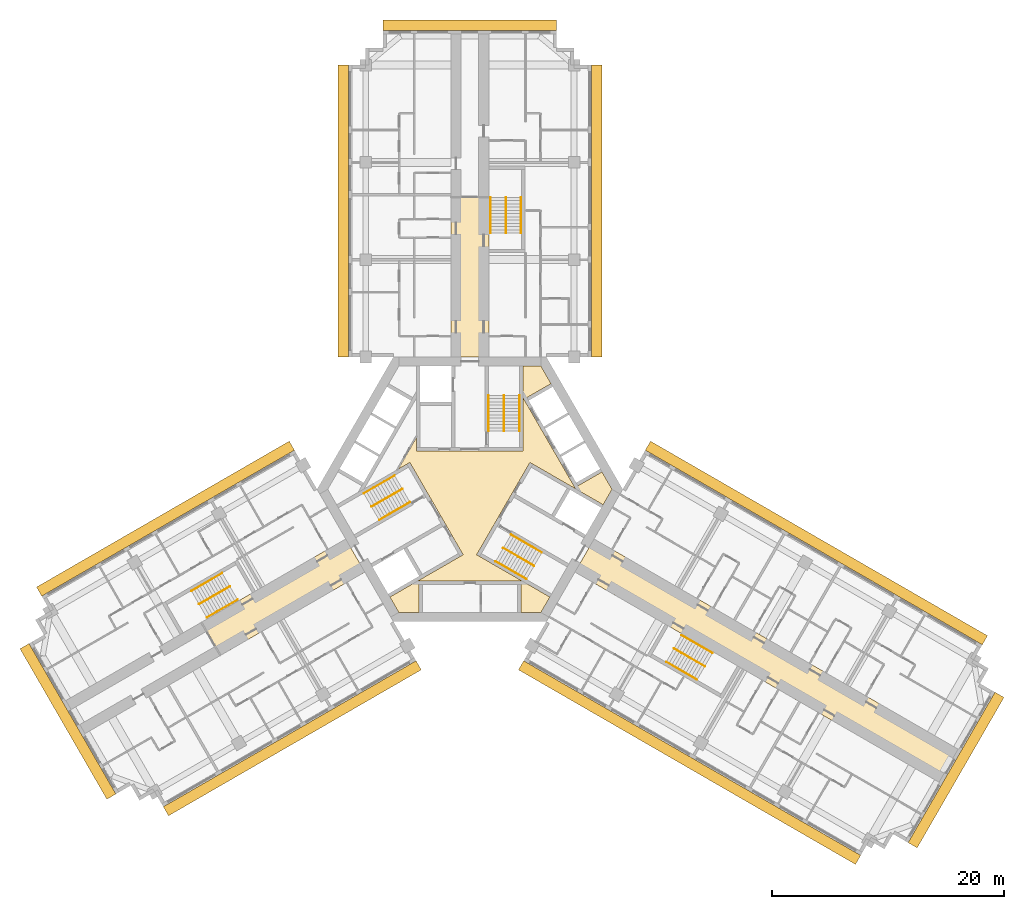
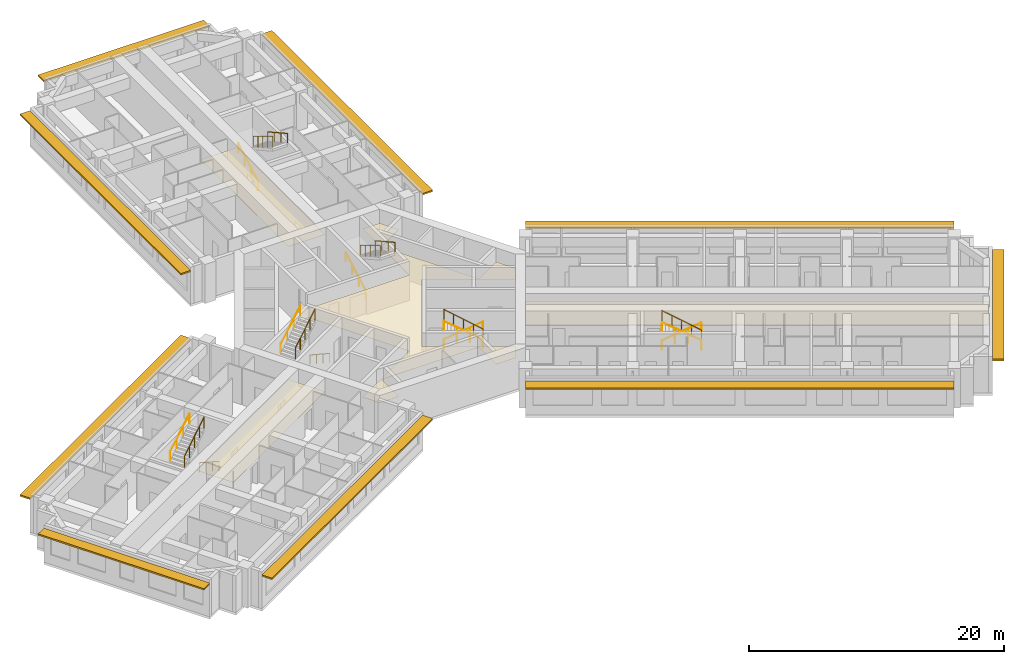
# One storey, part 14 of 14: 18 railings, 4 coverings, 3 shading devices.
"""IFC4 building model written with IfcOpenShell, lengths in metres."""

from ifc_helpers import new_model, si_unit, direction, frame, origin, origin_2d, place, context, subcontext, project, spatial, polyline, rectangle, circle, outline, extrude, material, layer, layer_set, type_object, element, save


model = new_model("IFC4")

# Units and contexts
model_context = context("Model", 3, precision=1e-05, world=origin(), true_north=direction((0.0, 1.0)))
body_context = subcontext(model_context, "Body", "Model", "MODEL_VIEW")
ifc_project = project(units=[si_unit("LENGTHUNIT", "METRE"), si_unit("AREAUNIT", "SQUARE_METRE"), si_unit("VOLUMEUNIT", "CUBIC_METRE"), si_unit("PLANEANGLEUNIT", "RADIAN"), si_unit("MASSUNIT", "GRAM", prefix="KILO")], contexts=[model_context])

# Site, building, storey
site_placement = place(None, origin())
site = spatial("IfcSite", under=ifc_project, at=site_placement, CompositionType="ELEMENT")
building_placement = place(site_placement, origin())
building = spatial("IfcBuilding", under=site, at=building_placement, Name="Impinga Residences", CompositionType="ELEMENT")
storey_placement = place(building_placement, frame((0.0, 0.0, 143.5)))
storey = spatial("IfcBuildingStorey", under=building, at=storey_placement, Name="L35", CompositionType="ELEMENT", Elevation=143.5)

# Coverings
ifc_material_1 = material(Name="Plasterboard 15 mm on steel hangers", Category="steel")
ifc_layer_1 = layer(ifc_material_1, 0.014892578125)
ifc_layer_set_1 = layer_set([ifc_layer_1], Name="Plasterboard 15 mm on steel hangers")
covering_type_1 = type_object("IfcCoveringType", Name="CL1 corridor ceiling, 15 mm plasterboard on hangers", PredefinedType="CEILING", material=ifc_layer_set_1)
covering_1_placement = place(storey_placement, frame((0.0, 0.0, 2.39990234375)))
element("IfcCovering", 1, at=covering_1_placement, inside=storey, type_object=covering_type_1, Name="Corridor ceiling CL1 L35-N00", PredefinedType="CEILING", context=body_context, shape_type="SweptSolid", body=[
    extrude(outline(polyline([(-1.64990234375, 11.431640625), (1.64990234375, 11.431640625), (1.64990234375, 25.181640625), (-1.64990234375, 25.181640625), (-1.64990234375, 11.431640625)])), origin(), (0.0, 0.0, 1.0), 0.01513671875),
])
covering_2_placement = place(storey_placement, frame((0.0, 0.0, 2.39990234375)))
element("IfcCovering", 2, at=covering_2_placement, inside=storey, type_object=covering_type_1, Name="Corridor ceiling CL1 L35-W00", PredefinedType="CEILING", context=body_context, shape_type="SweptSolid", body=[
    extrude(outline(polyline([(-9.074951171875, -7.144775390625), (-10.72509765625, -4.286865234375), (-23.15234375, -11.4619140625), (-21.50244140625, -14.31982421875), (-9.074951171875, -7.144775390625)])), origin(), (0.0, 0.0, 1.0), 0.01513671875),
])
covering_3_placement = place(storey_placement, frame((0.0, 0.0, 2.39990234375)))
element("IfcCovering", 3, at=covering_3_placement, inside=storey, type_object=covering_type_1, Name="Corridor ceiling CL1 L35-E00", PredefinedType="CEILING", context=body_context, shape_type="SweptSolid", body=[
    extrude(outline(polyline([(10.72509765625, -4.286865234375), (9.074951171875, -7.144775390625), (40.51171875, -25.294677734375), (42.16162109375, -22.436767578125), (10.72509765625, -4.286865234375)])), origin(), (0.0, 0.0, 1.0), 0.01513671875),
])
ifc_material_2 = material(Name="Mineral fibre tiles 20 mm on exposed grid", Category="mineral fibre")
ifc_layer_2 = layer(ifc_material_2, 0.02001953125)
ifc_layer_set_2 = layer_set([ifc_layer_2], Name="CL2 lift lobby ceiling, 20 mm mineral fibre tiles")
covering_type_2 = type_object("IfcCoveringType", Name="CL2 lift lobby ceiling, 20 mm mineral fibre tiles", PredefinedType="CEILING", material=ifc_layer_set_2)
covering_4_placement = place(storey_placement, frame((0.0, 0.0, 2.39990234375)))
element("IfcCovering", 4, at=covering_4_placement, inside=storey, type_object=covering_type_2, Name="Lift lobby ceiling CL2 L35-C01", PredefinedType="CEILING", context=body_context, shape_type="SweptSolid", body=[
    extrude(outline(polyline([(5.183837890625, 2.318603515625), (0.583984375, -5.648681640625), (6.9072265625, -9.299560546875), (6.13818359375, -10.631591796875), (4.39990234375, -10.631591796875), (4.39990234375, -7.931640625), (-4.39990234375, -7.931640625), (-4.39990234375, -10.631591796875), (-6.13818359375, -10.631591796875), (-6.9072265625, -9.299560546875), (-0.583984375, -5.648681640625), (-5.183837890625, 2.318603515625), (-6.193359375, 1.73583984375), (-4.60009765625, 4.49560546875), (-4.60009765625, 3.330078125), (4.60009765625, 3.330078125), (4.60009765625, 10.631591796875), (6.13818359375, 10.631591796875), (7.007080078125, 9.126220703125), (4.6689453125, 7.7763671875), (9.06884765625, 0.1552734375), (11.4072265625, 1.50537109375), (12.276123046875, 0.0), (11.507080078125, -1.33203125), (5.183837890625, 2.318603515625)])), origin(), (0.0, 0.0, 1.0), 0.02001953125),
])

# Railings
ifc_material_3 = material(Name="Steel guard, powder coated", Category="steel")
railing_type_1 = type_object("IfcRailingType", Name="GR1 stair guard 1100", PredefinedType="GUARDRAIL", material=ifc_material_3)
railing_1_placement = place(storey_placement, frame((2.949951171875, 8.110107421875, 1.875)))
element("IfcRailing", 5, at=railing_1_placement, inside=storey, type_object=railing_type_1, Name="Stair guard GR1 ST1 L35", PredefinedType="GUARDRAIL", context=body_context, shape_type="SweptSolid", body=[
    extrude(circle(Radius=0.02392578125, at=origin_2d()), frame((0.0, 0.0, 1.076171875), z_axis=(0.0, -0.854177636135, 0.519981313056), x_axis=(1.0, 0.0, 0.0)), (0.0, 0.0, 1.0), 3.60595703125),
    extrude(circle(Radius=0.02099609375, at=origin_2d()), origin(), (0.0, 0.0, 1.0), 1.052001953125),
    extrude(circle(Radius=0.02099609375, at=origin_2d()), frame((0.0, -0.77001953125, 0.46875)), (0.0, 0.0, 1.0), 1.052001953125),
    extrude(circle(Radius=0.02099609375, at=origin_2d()), frame((0.0, -1.5400390625, 0.9375)), (0.0, 0.0, 1.0), 1.052001953125),
    extrude(circle(Radius=0.02099609375, at=origin_2d()), frame((0.0, -2.31005859375, 1.40625)), (0.0, 0.0, 1.0), 1.052001953125),
    extrude(circle(Radius=0.02099609375, at=origin_2d()), frame((0.0, -3.080078125, 1.875)), (0.0, 0.0, 1.0), 1.052001953125),
])
railing_2_placement = place(storey_placement, frame((-8.49853515625, -1.500244140625, 1.875)))
element("IfcRailing", 6, at=railing_2_placement, inside=storey, type_object=railing_type_1, Name="Stair guard GR1 ST2 L35", PredefinedType="GUARDRAIL", context=body_context, shape_type="SweptSolid", body=[
    extrude(circle(Radius=0.02392578125, at=origin_2d()), frame((0.0, 0.0, 1.076171875), z_axis=(0.739746383972, 0.427084037168, 0.519975492303), x_axis=(-0.499992328818, 0.866029832698, 0.0)), (0.0, 0.0, 1.0), 3.60595703125),
    extrude(circle(Radius=0.02099609375, at=origin_2d()), origin(), (0.0, 0.0, 1.0), 1.052001953125),
    extrude(circle(Radius=0.02099609375, at=origin_2d()), frame((0.6669921875, 0.385009765625, 0.46875)), (0.0, 0.0, 1.0), 1.052001953125),
    extrude(circle(Radius=0.02099609375, at=origin_2d()), frame((1.333740234375, 0.77001953125, 0.9375)), (0.0, 0.0, 1.0), 1.052001953125),
    extrude(circle(Radius=0.02099609375, at=origin_2d()), frame((2.00048828125, 1.155029296875, 1.40625)), (0.0, 0.0, 1.0), 1.052001953125),
    extrude(circle(Radius=0.02099609375, at=origin_2d()), frame((2.66748046875, 1.5400390625, 1.875)), (0.0, 0.0, 1.0), 1.052001953125),
])
railing_3_placement = place(storey_placement, frame((5.548583984375, -6.60986328125, 1.875)))
element("IfcRailing", 7, at=railing_3_placement, inside=storey, type_object=railing_type_1, Name="Stair guard GR1 ST3 L35", PredefinedType="GUARDRAIL", context=body_context, shape_type="SweptSolid", body=[
    extrude(circle(Radius=0.02392578125, at=origin_2d()), frame((0.0, 0.0, 1.076171875), z_axis=(-0.739746383972, 0.427084037168, 0.519975492303), x_axis=(-0.499992328818, -0.866029832698, 0.0)), (0.0, 0.0, 1.0), 3.60595703125),
    extrude(circle(Radius=0.02099609375, at=origin_2d()), origin(), (0.0, 0.0, 1.0), 1.052001953125),
    extrude(circle(Radius=0.02099609375, at=origin_2d()), frame((-0.6669921875, 0.385009765625, 0.46875)), (0.0, 0.0, 1.0), 1.052001953125),
    extrude(circle(Radius=0.02099609375, at=origin_2d()), frame((-1.333740234375, 0.77001953125, 0.9375)), (0.0, 0.0, 1.0), 1.052001953125),
    extrude(circle(Radius=0.02099609375, at=origin_2d()), frame((-2.00048828125, 1.155029296875, 1.40625)), (0.0, 0.0, 1.0), 1.052001953125),
    extrude(circle(Radius=0.02099609375, at=origin_2d()), frame((-2.66748046875, 1.5400390625, 1.875)), (0.0, 0.0, 1.0), 1.052001953125),
])
railing_4_placement = place(storey_placement, frame((3.10009765625, 25.21142578125, 1.875)))
element("IfcRailing", 8, at=railing_4_placement, inside=storey, type_object=railing_type_1, Name="Stair guard GR1 WS1 L35", PredefinedType="GUARDRAIL", context=body_context, shape_type="SweptSolid", body=[
    extrude(circle(Radius=0.02392578125, at=origin_2d()), frame((0.0, 0.0, 1.076171875), z_axis=(0.0, -0.854159328187, 0.520011386482), x_axis=(1.0, 0.0, 0.0)), (0.0, 0.0, 1.0), 3.605712890625),
    extrude(circle(Radius=0.02099609375, at=origin_2d()), origin(), (0.0, 0.0, 1.0), 1.052001953125),
    extrude(circle(Radius=0.02099609375, at=origin_2d()), frame((0.0, -0.77001953125, 0.46875)), (0.0, 0.0, 1.0), 1.052001953125),
    extrude(circle(Radius=0.02099609375, at=origin_2d()), frame((0.0, -1.5400390625, 0.9375)), (0.0, 0.0, 1.0), 1.052001953125),
    extrude(circle(Radius=0.02099609375, at=origin_2d()), frame((0.0, -2.309814453125, 1.40625)), (0.0, 0.0, 1.0), 1.052001953125),
    extrude(circle(Radius=0.02099609375, at=origin_2d()), frame((0.0, -3.079833984375, 1.875)), (0.0, 0.0, 1.0), 1.052001953125),
])
railing_5_placement = place(storey_placement, frame((-23.3837890625, -9.921142578125, 1.875)))
element("IfcRailing", 9, at=railing_5_placement, inside=storey, type_object=railing_type_1, Name="Stair guard GR1 WS2 L35", PredefinedType="GUARDRAIL", context=body_context, shape_type="SweptSolid", body=[
    extrude(circle(Radius=0.02392578125, at=origin_2d()), frame((0.0, 0.0, 1.076171875), z_axis=(0.739715726454, 0.427105428144, 0.52000153585), x_axis=(-0.500026652407, 0.866010015463, 0.0)), (0.0, 0.0, 1.0), 3.605712890625),
    extrude(circle(Radius=0.02099609375, at=origin_2d()), origin(), (0.0, 0.0, 1.0), 1.052001953125),
    extrude(circle(Radius=0.02099609375, at=origin_2d()), frame((0.666748046875, 0.385009765625, 0.46875)), (0.0, 0.0, 1.0), 1.052001953125),
    extrude(circle(Radius=0.02099609375, at=origin_2d()), frame((1.33349609375, 0.77001953125, 0.9375)), (0.0, 0.0, 1.0), 1.052001953125),
    extrude(circle(Radius=0.02099609375, at=origin_2d()), frame((2.00048828125, 1.155029296875, 1.40625)), (0.0, 0.0, 1.0), 1.052001953125),
    extrude(circle(Radius=0.02099609375, at=origin_2d()), frame((2.667236328125, 1.5400390625, 1.875)), (0.0, 0.0, 1.0), 1.052001953125),
])
railing_6_placement = place(storey_placement, frame((20.283935546875, -15.29052734375, 1.875)))
element("IfcRailing", 10, at=railing_6_placement, inside=storey, type_object=railing_type_1, Name="Stair guard GR1 WS3 L35", PredefinedType="GUARDRAIL", context=body_context, shape_type="SweptSolid", body=[
    extrude(circle(Radius=0.02392578125, at=origin_2d()), frame((0.0, 0.0, 1.076171875), z_axis=(-0.739746383972, 0.427084037168, 0.519975492303), x_axis=(-0.499992328818, -0.866029832698, 0.0)), (0.0, 0.0, 1.0), 3.60595703125),
    extrude(circle(Radius=0.02099609375, at=origin_2d()), origin(), (0.0, 0.0, 1.0), 1.052001953125),
    extrude(circle(Radius=0.02099609375, at=origin_2d()), frame((-0.6669921875, 0.385009765625, 0.46875)), (0.0, 0.0, 1.0), 1.052001953125),
    extrude(circle(Radius=0.02099609375, at=origin_2d()), frame((-1.333740234375, 0.77001953125, 0.9375)), (0.0, 0.0, 1.0), 1.052001953125),
    extrude(circle(Radius=0.02099609375, at=origin_2d()), frame((-2.00048828125, 1.155029296875, 1.40625)), (0.0, 0.0, 1.0), 1.052001953125),
    extrude(circle(Radius=0.02099609375, at=origin_2d()), frame((-2.66748046875, 1.5400390625, 1.875)), (0.0, 0.0, 1.0), 1.052001953125),
])
ifc_material_4 = material(Name="Steel handrail tube 42 mm, powder coated", Category="steel")
railing_type_2 = type_object("IfcRailingType", Name="HR1 stair handrail, 42 mm steel tube, 900 above the pitch line", PredefinedType="HANDRAIL", material=ifc_material_4)
railing_7_placement = place(storey_placement, frame((1.62109375, 5.030029296875, 0.15625)))
element("IfcRailing", 11, at=railing_7_placement, inside=storey, type_object=railing_type_2, Name="Stair handrail HR1 ST1 L35", PredefinedType="HANDRAIL", context=body_context, shape_type="SweptSolid", body=[
    extrude(circle(Radius=0.02099609375, at=origin_2d()), frame((0.0, 0.0, 0.87890625), z_axis=(0.0, 0.873241540666, 0.487287606713), x_axis=(-1.0, 0.0, 0.0)), (0.0, 0.0, 1.0), 3.527099609375),
    extrude(circle(Radius=0.012451171875, at=origin_2d()), origin(), (0.0, 0.0, 1.0), 0.85791015625),
    extrude(circle(Radius=0.012451171875, at=origin_2d()), frame((0.0, 1.026611328125, 0.572998046875)), (0.0, 0.0, 1.0), 0.85791015625),
    extrude(circle(Radius=0.012451171875, at=origin_2d()), frame((0.0, 2.053466796875, 1.145751953125)), (0.0, 0.0, 1.0), 0.85791015625),
    extrude(circle(Radius=0.012451171875, at=origin_2d()), frame((0.0, 3.080078125, 1.71875)), (0.0, 0.0, 1.0), 0.85791015625),
])
railing_8_placement = place(storey_placement, frame((4.279052734375, 8.110107421875, 2.03125)))
element("IfcRailing", 12, at=railing_8_placement, inside=storey, type_object=railing_type_2, Name="Stair handrail HR1 ST1 L35", PredefinedType="HANDRAIL", context=body_context, shape_type="SweptSolid", body=[
    extrude(circle(Radius=0.02099609375, at=origin_2d()), frame((0.0, 0.0, 0.87890625), z_axis=(0.0, -0.873241540666, 0.487287606713), x_axis=(1.0, 0.0, 0.0)), (0.0, 0.0, 1.0), 3.527099609375),
    extrude(circle(Radius=0.012451171875, at=origin_2d()), origin(), (0.0, 0.0, 1.0), 0.85791015625),
    extrude(circle(Radius=0.012451171875, at=origin_2d()), frame((0.0, -1.026611328125, 0.572998046875)), (0.0, 0.0, 1.0), 0.85791015625),
    extrude(circle(Radius=0.012451171875, at=origin_2d()), frame((0.0, -2.053466796875, 1.145751953125)), (0.0, 0.0, 1.0), 0.85791015625),
    extrude(circle(Radius=0.012451171875, at=origin_2d()), frame((0.0, -3.080078125, 1.71875)), (0.0, 0.0, 1.0), 0.85791015625),
])
railing_9_placement = place(storey_placement, frame((-5.16650390625, -1.111083984375, 0.15625)))
element("IfcRailing", 13, at=railing_9_placement, inside=storey, type_object=railing_type_2, Name="Stair handrail HR1 ST2 L35", PredefinedType="HANDRAIL", context=body_context, shape_type="SweptSolid", body=[
    extrude(circle(Radius=0.02099609375, at=origin_2d()), frame((0.0, 0.0, 0.87890625), z_axis=(-0.756255980417, -0.436615662133, 0.487281905742), x_axis=(0.499992328818, -0.866029832698, 0.0)), (0.0, 0.0, 1.0), 3.527099609375),
    extrude(circle(Radius=0.012451171875, at=origin_2d()), origin(), (0.0, 0.0, 1.0), 0.85791015625),
    extrude(circle(Radius=0.012451171875, at=origin_2d()), frame((-0.88916015625, -0.513427734375, 0.572998046875)), (0.0, 0.0, 1.0), 0.85791015625),
    extrude(circle(Radius=0.012451171875, at=origin_2d()), frame((-1.7783203125, -1.026611328125, 1.145751953125)), (0.0, 0.0, 1.0), 0.85791015625),
    extrude(circle(Radius=0.012451171875, at=origin_2d()), frame((-2.66748046875, -1.5400390625, 1.71875)), (0.0, 0.0, 1.0), 0.85791015625),
])
railing_10_placement = place(storey_placement, frame((-9.1630859375, -0.349365234375, 2.03125)))
element("IfcRailing", 14, at=railing_10_placement, inside=storey, type_object=railing_type_2, Name="Stair handrail HR1 ST2 L35", PredefinedType="HANDRAIL", context=body_context, shape_type="SweptSolid", body=[
    extrude(circle(Radius=0.02099609375, at=origin_2d()), frame((0.0, 0.0, 0.87890625), z_axis=(0.756255980417, 0.436615662133, 0.487281905742), x_axis=(-0.499992328818, 0.866029832698, 0.0)), (0.0, 0.0, 1.0), 3.527099609375),
    extrude(circle(Radius=0.012451171875, at=origin_2d()), origin(), (0.0, 0.0, 1.0), 0.85791015625),
    extrude(circle(Radius=0.012451171875, at=origin_2d()), frame((0.88916015625, 0.513427734375, 0.572998046875)), (0.0, 0.0, 1.0), 0.85791015625),
    extrude(circle(Radius=0.012451171875, at=origin_2d()), frame((1.7783203125, 1.026611328125, 1.145751953125)), (0.0, 0.0, 1.0), 0.85791015625),
    extrude(circle(Radius=0.012451171875, at=origin_2d()), frame((2.66748046875, 1.5400390625, 1.71875)), (0.0, 0.0, 1.0), 0.85791015625),
])
railing_11_placement = place(storey_placement, frame((3.545654296875, -3.9189453125, 0.15625)))
element("IfcRailing", 15, at=railing_11_placement, inside=storey, type_object=railing_type_2, Name="Stair handrail HR1 ST3 L35", PredefinedType="HANDRAIL", context=body_context, shape_type="SweptSolid", body=[
    extrude(circle(Radius=0.02099609375, at=origin_2d()), frame((0.0, 0.0, 0.87890625), z_axis=(0.756249203677, -0.436582492228, 0.487322141317), x_axis=(0.499967199496, 0.866044340336, 0.0)), (0.0, 0.0, 1.0), 3.52685546875),
    extrude(circle(Radius=0.012451171875, at=origin_2d()), origin(), (0.0, 0.0, 1.0), 0.85791015625),
    extrude(circle(Radius=0.012451171875, at=origin_2d()), frame((0.88916015625, -0.51318359375, 0.572998046875)), (0.0, 0.0, 1.0), 0.85791015625),
    extrude(circle(Radius=0.012451171875, at=origin_2d()), frame((1.778076171875, -1.026611328125, 1.145751953125)), (0.0, 0.0, 1.0), 0.85791015625),
    extrude(circle(Radius=0.012451171875, at=origin_2d()), frame((2.667236328125, -1.539794921875, 1.71875)), (0.0, 0.0, 1.0), 0.85791015625),
])
railing_12_placement = place(storey_placement, frame((4.884033203125, -7.7607421875, 2.03125)))
element("IfcRailing", 16, at=railing_12_placement, inside=storey, type_object=railing_type_2, Name="Stair handrail HR1 ST3 L35", PredefinedType="HANDRAIL", context=body_context, shape_type="SweptSolid", body=[
    extrude(circle(Radius=0.02099609375, at=origin_2d()), frame((0.0, 0.0, 0.87890625), z_axis=(-0.756255980417, 0.436615662133, 0.487281905742), x_axis=(-0.499992328818, -0.866029832698, 0.0)), (0.0, 0.0, 1.0), 3.527099609375),
    extrude(circle(Radius=0.012451171875, at=origin_2d()), origin(), (0.0, 0.0, 1.0), 0.85791015625),
    extrude(circle(Radius=0.012451171875, at=origin_2d()), frame((-0.88916015625, 0.513427734375, 0.572998046875)), (0.0, 0.0, 1.0), 0.85791015625),
    extrude(circle(Radius=0.012451171875, at=origin_2d()), frame((-1.7783203125, 1.026611328125, 1.145751953125)), (0.0, 0.0, 1.0), 0.85791015625),
    extrude(circle(Radius=0.012451171875, at=origin_2d()), frame((-2.66748046875, 1.5400390625, 1.71875)), (0.0, 0.0, 1.0), 0.85791015625),
])
railing_13_placement = place(storey_placement, frame((1.77099609375, 22.131591796875, 0.15625)))
element("IfcRailing", 17, at=railing_13_placement, inside=storey, type_object=railing_type_2, Name="Stair handrail HR1 WS1 L35", PredefinedType="HANDRAIL", context=body_context, shape_type="SweptSolid", body=[
    extrude(circle(Radius=0.02099609375, at=origin_2d()), frame((0.0, 0.0, 0.87890625), z_axis=(0.0, 0.873225103656, 0.487317061414), x_axis=(-1.0, 0.0, 0.0)), (0.0, 0.0, 1.0), 3.52685546875),
    extrude(circle(Radius=0.012451171875, at=origin_2d()), origin(), (0.0, 0.0, 1.0), 0.85791015625),
    extrude(circle(Radius=0.012451171875, at=origin_2d()), frame((0.0, 1.026611328125, 0.572998046875)), (0.0, 0.0, 1.0), 0.85791015625),
    extrude(circle(Radius=0.012451171875, at=origin_2d()), frame((0.0, 2.05322265625, 1.145751953125)), (0.0, 0.0, 1.0), 0.85791015625),
    extrude(circle(Radius=0.012451171875, at=origin_2d()), frame((0.0, 3.079833984375, 1.71875)), (0.0, 0.0, 1.0), 0.85791015625),
])
railing_14_placement = place(storey_placement, frame((4.428955078125, 25.21142578125, 2.03125)))
element("IfcRailing", 18, at=railing_14_placement, inside=storey, type_object=railing_type_2, Name="Stair handrail HR1 WS1 L35", PredefinedType="HANDRAIL", context=body_context, shape_type="SweptSolid", body=[
    extrude(circle(Radius=0.02099609375, at=origin_2d()), frame((0.0, 0.0, 0.87890625), z_axis=(0.0, -0.873225103656, 0.487317061414), x_axis=(1.0, 0.0, 0.0)), (0.0, 0.0, 1.0), 3.52685546875),
    extrude(circle(Radius=0.012451171875, at=origin_2d()), origin(), (0.0, 0.0, 1.0), 0.85791015625),
    extrude(circle(Radius=0.012451171875, at=origin_2d()), frame((0.0, -1.026611328125, 0.572998046875)), (0.0, 0.0, 1.0), 0.85791015625),
    extrude(circle(Radius=0.012451171875, at=origin_2d()), frame((0.0, -2.05322265625, 1.145751953125)), (0.0, 0.0, 1.0), 0.85791015625),
    extrude(circle(Radius=0.012451171875, at=origin_2d()), frame((0.0, -3.079833984375, 1.71875)), (0.0, 0.0, 1.0), 0.85791015625),
])
railing_15_placement = place(storey_placement, frame((-20.052001953125, -9.531982421875, 0.15625)))
element("IfcRailing", 19, at=railing_15_placement, inside=storey, type_object=railing_type_2, Name="Stair handrail HR1 WS2 L35", PredefinedType="HANDRAIL", context=body_context, shape_type="SweptSolid", body=[
    extrude(circle(Radius=0.02099609375, at=origin_2d()), frame((0.0, 0.0, 0.87890625), z_axis=(-0.756226348243, -0.436638517594, 0.487307413422), x_axis=(0.500026652407, -0.866010015463, 0.0)), (0.0, 0.0, 1.0), 3.527099609375),
    extrude(circle(Radius=0.012451171875, at=origin_2d()), origin(), (0.0, 0.0, 1.0), 0.85791015625),
    extrude(circle(Radius=0.012451171875, at=origin_2d()), frame((-0.88916015625, -0.513427734375, 0.572998046875)), (0.0, 0.0, 1.0), 0.85791015625),
    extrude(circle(Radius=0.012451171875, at=origin_2d()), frame((-1.778076171875, -1.026611328125, 1.145751953125)), (0.0, 0.0, 1.0), 0.85791015625),
    extrude(circle(Radius=0.012451171875, at=origin_2d()), frame((-2.667236328125, -1.5400390625, 1.71875)), (0.0, 0.0, 1.0), 0.85791015625),
])
railing_16_placement = place(storey_placement, frame((-24.04833984375, -8.77001953125, 2.03125)))
element("IfcRailing", 20, at=railing_16_placement, inside=storey, type_object=railing_type_2, Name="Stair handrail HR1 WS2 L35", PredefinedType="HANDRAIL", context=body_context, shape_type="SweptSolid", body=[
    extrude(circle(Radius=0.02099609375, at=origin_2d()), frame((0.0, 0.0, 0.87890625), z_axis=(0.756278834354, 0.436559638319, 0.487296631324), x_axis=(-0.499932877268, 0.866064153644, 0.0)), (0.0, 0.0, 1.0), 3.527099609375),
    extrude(circle(Radius=0.012451171875, at=origin_2d()), origin(), (0.0, 0.0, 1.0), 0.85791015625),
    extrude(circle(Radius=0.012451171875, at=origin_2d()), frame((0.88916015625, 0.51318359375, 0.572998046875)), (0.0, 0.0, 1.0), 0.85791015625),
    extrude(circle(Radius=0.012451171875, at=origin_2d()), frame((1.7783203125, 1.026611328125, 1.145751953125)), (0.0, 0.0, 1.0), 0.85791015625),
    extrude(circle(Radius=0.012451171875, at=origin_2d()), frame((2.66748046875, 1.539794921875, 1.71875)), (0.0, 0.0, 1.0), 0.85791015625),
])
railing_17_placement = place(storey_placement, frame((18.281005859375, -12.599609375, 0.15625)))
element("IfcRailing", 21, at=railing_17_placement, inside=storey, type_object=railing_type_2, Name="Stair handrail HR1 WS3 L35", PredefinedType="HANDRAIL", context=body_context, shape_type="SweptSolid", body=[
    extrude(circle(Radius=0.02099609375, at=origin_2d()), frame((0.0, 0.0, 0.87890625), z_axis=(0.756249203677, -0.436582492228, 0.487322141317), x_axis=(0.499967199496, 0.866044340336, 0.0)), (0.0, 0.0, 1.0), 3.52685546875),
    extrude(circle(Radius=0.012451171875, at=origin_2d()), origin(), (0.0, 0.0, 1.0), 0.85791015625),
    extrude(circle(Radius=0.012451171875, at=origin_2d()), frame((0.88916015625, -0.51318359375, 0.572998046875)), (0.0, 0.0, 1.0), 0.85791015625),
    extrude(circle(Radius=0.012451171875, at=origin_2d()), frame((1.778076171875, -1.026611328125, 1.145751953125)), (0.0, 0.0, 1.0), 0.85791015625),
    extrude(circle(Radius=0.012451171875, at=origin_2d()), frame((2.667236328125, -1.539794921875, 1.71875)), (0.0, 0.0, 1.0), 0.85791015625),
])
railing_18_placement = place(storey_placement, frame((19.619384765625, -16.44140625, 2.03125)))
element("IfcRailing", 22, at=railing_18_placement, inside=storey, type_object=railing_type_2, Name="Stair handrail HR1 WS3 L35", PredefinedType="HANDRAIL", context=body_context, shape_type="SweptSolid", body=[
    extrude(circle(Radius=0.02099609375, at=origin_2d()), frame((0.0, 0.0, 0.87890625), z_axis=(-0.756255980417, 0.436615662133, 0.487281905742), x_axis=(-0.499992328818, -0.866029832698, 0.0)), (0.0, 0.0, 1.0), 3.527099609375),
    extrude(circle(Radius=0.012451171875, at=origin_2d()), origin(), (0.0, 0.0, 1.0), 0.85791015625),
    extrude(circle(Radius=0.012451171875, at=origin_2d()), frame((-0.88916015625, 0.513427734375, 0.572998046875)), (0.0, 0.0, 1.0), 0.85791015625),
    extrude(circle(Radius=0.012451171875, at=origin_2d()), frame((-1.7783203125, 1.026611328125, 1.145751953125)), (0.0, 0.0, 1.0), 0.85791015625),
    extrude(circle(Radius=0.012451171875, at=origin_2d()), frame((-2.66748046875, 1.5400390625, 1.71875)), (0.0, 0.0, 1.0), 0.85791015625),
])

# Shading devices
ifc_material_5 = material(Name="Terracotta sunshade blades on aluminium brackets", Category="masonry")
ifc_layer_3 = layer(ifc_material_5, 0.14990234375)
ifc_layer_set_3 = layer_set([ifc_layer_3], Name="SS1 SUNSHADE terracotta sunshade band 900")
shading_device_type = type_object("IfcShadingDeviceType", Name="SS1 SUNSHADE terracotta sunshade band 900", PredefinedType="USERDEFINED", material=ifc_layer_set_3)
shading_device_1_placement = place(storey_placement, frame((-10.949951171875, 24.031494140625, 3.10009765625), z_axis=(0.0, 0.0, 1.0), x_axis=(0.0, 1.0, 0.0)))
element("IfcShadingDevice", 23, at=shading_device_1_placement, inside=storey, type_object=shading_device_type, Name="SUNSHADE band L35 NORTH WING", ObjectType="SUNSHADE", PredefinedType="USERDEFINED", context=body_context, shape_type="SweptSolid", body=[
    extrude(rectangle(XDim=25.199951171875, YDim=0.89990234375, at=origin_2d()), origin(), (0.0, 0.0, 1.0), 0.14990234375),
    extrude(rectangle(XDim=15.0, YDim=0.89990234375, at=origin_2d()), frame((16.050048828125, -10.949951171875, 0.0), z_axis=(0.0, 0.0, 1.0), x_axis=(0.0, -1.0, 0.0)), (0.0, 0.0, 1.0), 0.14990234375),
    extrude(rectangle(XDim=25.199951171875, YDim=0.89990234375, at=origin_2d()), frame((0.0, -21.89990234375, 0.0), z_axis=(0.0, 0.0, 1.0), x_axis=(-1.0, 0.0, 0.0)), (0.0, 0.0, 1.0), 0.14990234375),
])
shading_device_2_placement = place(storey_placement, frame((-15.3369140625, -21.498779296875, 3.10009765625), z_axis=(0.0, 0.0, 1.0), x_axis=(-0.866025403784, -0.5, 0.0)))
element("IfcShadingDevice", 24, at=shading_device_2_placement, inside=storey, type_object=shading_device_type, Name="SUNSHADE band L35 WEST WING", ObjectType="SUNSHADE", PredefinedType="USERDEFINED", context=body_context, shape_type="SweptSolid", body=[
    extrude(rectangle(XDim=25.199951171875, YDim=0.89990234375, at=origin_2d()), origin(), (0.0, 0.0, 1.0), 0.14990234375),
    extrude(rectangle(XDim=15.0, YDim=0.89990234375, at=origin_2d()), frame((16.050048828125, -10.949951171875, 0.0), z_axis=(0.0, 0.0, 1.0), x_axis=(0.0, -1.0, 0.0)), (0.0, 0.0, 1.0), 0.14990234375),
    extrude(rectangle(XDim=25.199951171875, YDim=0.89990234375, at=origin_2d()), frame((0.0, -21.900146484375, 0.0), z_axis=(0.0, 0.0, 1.0), x_axis=(-1.0, 0.0, 0.0)), (0.0, 0.0, 1.0), 0.14990234375),
])
shading_device_3_placement = place(storey_placement, frame((41.986328125, -24.24072265625, 3.10009765625), z_axis=(0.0, 0.0, 1.0), x_axis=(-0.5, -0.866025403784, 0.0)))
element("IfcShadingDevice", 25, at=shading_device_3_placement, inside=storey, type_object=shading_device_type, Name="SUNSHADE band L35 EAST WING", ObjectType="SUNSHADE", PredefinedType="USERDEFINED", context=body_context, shape_type="SweptSolid", body=[
    extrude(rectangle(XDim=15.0, YDim=0.89990234375, at=origin_2d()), origin(), (0.0, 0.0, 1.0), 0.14990234375),
    extrude(rectangle(XDim=33.60009765625, YDim=0.89990234375, at=origin_2d()), frame((10.949951171875, -20.250244140625, 0.0), z_axis=(0.0, 0.0, 1.0), x_axis=(0.0, -1.0, 0.0)), (0.0, 0.0, 1.0), 0.14990234375),
    extrude(rectangle(XDim=33.60009765625, YDim=0.89990234375, at=origin_2d()), frame((-10.949951171875, -20.25, 0.0), z_axis=(0.0, 0.0, 1.0), x_axis=(0.0, 1.0, 0.0)), (0.0, 0.0, 1.0), 0.14990234375),
])

save(model, "model.ifc")
